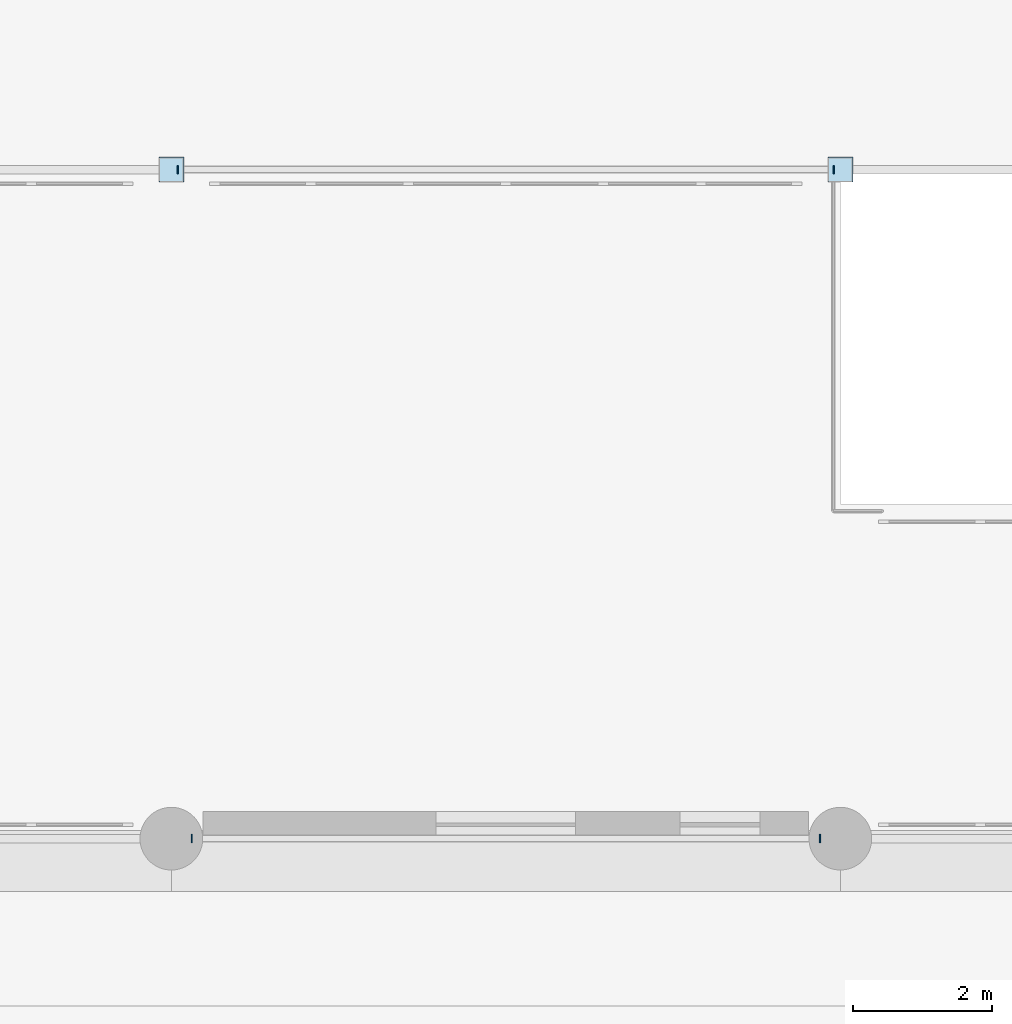
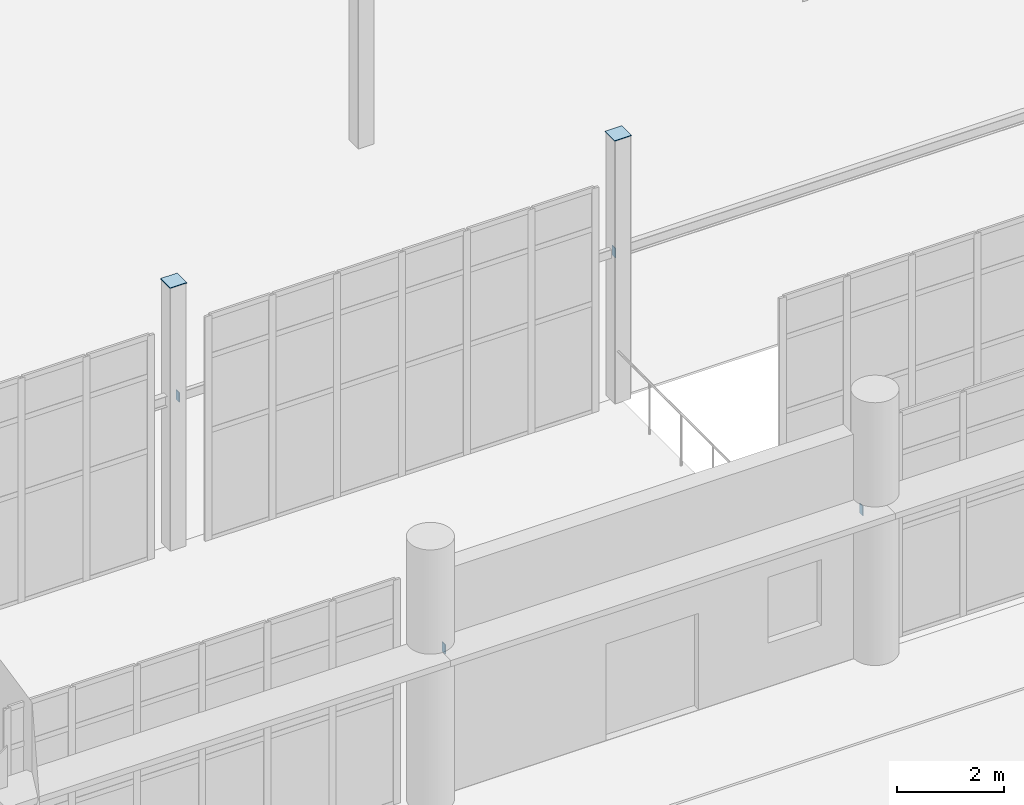
# One storey, part 89 of 139: 6 plates.
"""IFC4 building model written with IfcOpenShell, lengths in metres."""

from ifc_helpers import new_model, si_unit, direction, frame, origin, origin_2d, place, context, subcontext, project, spatial, rectangle, extrude, material, layer, layer_set, type_object, element, save


model = new_model("IFC4")

# Units and contexts
model_context = context("Model", 3, precision=1e-05, world=origin(), true_north=direction((0.0, 1.0)))
body_context = subcontext(model_context, "Body", "Model", "MODEL_VIEW")
ifc_project = project(units=[si_unit("LENGTHUNIT", "METRE"), si_unit("AREAUNIT", "SQUARE_METRE"), si_unit("VOLUMEUNIT", "CUBIC_METRE"), si_unit("PLANEANGLEUNIT", "RADIAN"), si_unit("MASSUNIT", "GRAM", prefix="KILO")], contexts=[model_context])

# Site, building, storey
site_placement = place(None, origin())
site = spatial("IfcSite", under=ifc_project, at=site_placement, CompositionType="ELEMENT")
building_placement = place(site_placement, origin())
building = spatial("IfcBuilding", under=site, at=building_placement, Name="Yeouljin Market Hall", CompositionType="ELEMENT")
storey_placement = place(building_placement, origin())
storey = spatial("IfcBuildingStorey", under=building, at=storey_placement, Name="L00", CompositionType="ELEMENT", Elevation=0.0)

# Plates
ifc_material_1 = material(Name="Steel SM355", Category="steel")
ifc_layer_1 = layer(ifc_material_1, 0.01611328125)
ifc_layer_set_1 = layer_set([ifc_layer_1], Name="Steel SM355")
plate_type_1 = type_object("IfcPlateType", Name="CapPlate_220x120x16", PredefinedType="SHEET", material=ifc_layer_set_1)
for number, where, z_axis, x_axis, name in (
    (1, (45.092041015625, 9.60009765625, 3.240234375), (0.0, 0.0, 1.0), (0.0, 1.0, 0.0), "Portal lintel end-cap plate 02-W"),
    (2, (54.508056640625, 9.60009765625, 3.240234375), (0.0, 0.0, 1.0), (0.0, 1.0, 0.0), "Portal lintel end-cap plate 02-E"),
    (3, (45.2919921875, 0.0, 3.240234375), (0.0, 0.0, 1.0), (0.0, 1.0, 0.0), "Portal lintel end-cap plate 08-W"),
    (4, (54.30810546875, 0.0, 3.240234375), (0.0, 0.0, 1.0), (0.0, 1.0, 0.0), "Portal lintel end-cap plate 08-E"),
):
    element("IfcPlate", number, at=place(storey_placement, frame(where, z_axis=z_axis, x_axis=x_axis)), inside=storey, type_object=plate_type_1, Name=name, PredefinedType="SHEET", context=body_context, shape_type="SweptSolid", body=[
        extrude(rectangle(XDim=0.1201171875, YDim=0.01611328125, at=origin_2d()), origin(), (0.0, 0.0, 1.0), 0.219970703125),
    ])
ifc_material_2 = material(Name="Steel SM355", Category="steel")
ifc_layer_2 = layer(ifc_material_2, 0.01611328125)
ifc_layer_set_2 = layer_set([ifc_layer_2], Name="Steel SM355")
plate_type_2 = type_object("IfcPlateType", Name="CapPlate_360x360x16", PredefinedType="SHEET", material=ifc_layer_set_2)
for number, where, z_axis, x_axis, name in (
    (5, (45.0, 9.60009765625, 6.0), (0.0, 0.0, 1.0), (1.0, 0.0, 0.0), "Hollow column top cap plate G-06-01 (L00)"),
    (6, (54.60009765625, 9.60009765625, 6.0), (0.0, 0.0, 1.0), (1.0, 0.0, 0.0), "Hollow column top cap plate G-07-01 (L00)"),
):
    element("IfcPlate", number, at=place(storey_placement, frame(where, z_axis=z_axis, x_axis=x_axis)), inside=storey, type_object=plate_type_2, Name=name, PredefinedType="SHEET", context=body_context, shape_type="SweptSolid", body=[
        extrude(rectangle(XDim=0.360107421875, YDim=0.360107421875, at=origin_2d()), origin(), (0.0, 0.0, 1.0), 0.01611328125),
    ])

save(model, "model.ifc")
